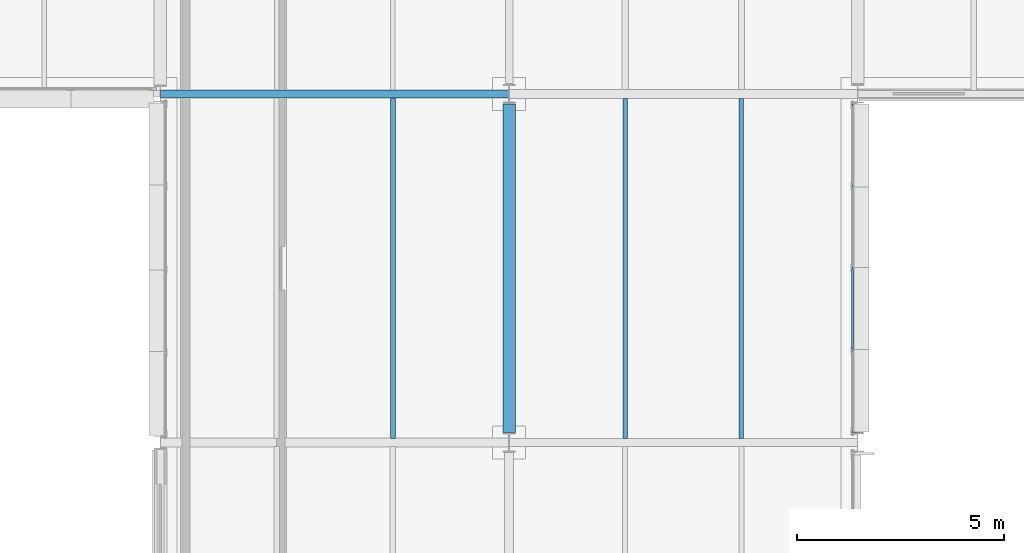
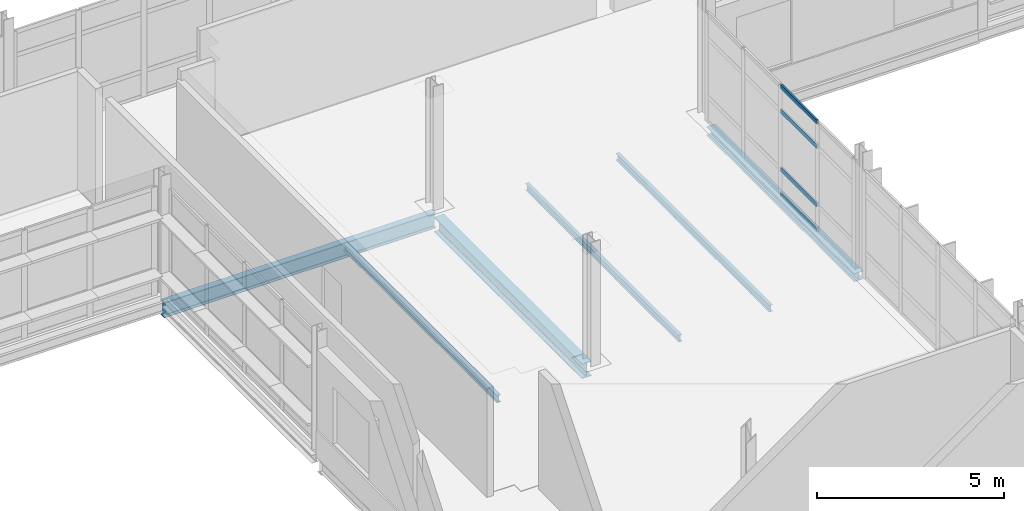
# One storey, part 52 of 103: 6 beams, 4 members, 1 element without a shape of its own.
"""IFC4 building model written with IfcOpenShell, lengths in metres."""

from ifc_helpers import new_model, si_unit, direction, frame, origin, origin_2d, place, context, subcontext, project, spatial, hollow_rectangle, i_section, extrude, material, material_profile, profile_set, type_object, element, aggregate, save


model = new_model("IFC4")

# Units and contexts
model_context = context("Model", 3, precision=1e-05, world=origin(), true_north=direction((0.0, 1.0)))
body_context = subcontext(model_context, "Body", "Model", "MODEL_VIEW")
ifc_project = project(units=[si_unit("LENGTHUNIT", "METRE"), si_unit("AREAUNIT", "SQUARE_METRE"), si_unit("VOLUMEUNIT", "CUBIC_METRE"), si_unit("PLANEANGLEUNIT", "RADIAN"), si_unit("MASSUNIT", "GRAM", prefix="KILO")], contexts=[model_context])

# Site, building, storey
site_placement = place(None, origin())
site = spatial("IfcSite", under=ifc_project, at=site_placement, CompositionType="ELEMENT")
building_placement = place(site_placement, origin())
building = spatial("IfcBuilding", under=site, at=building_placement, Name="Mersafa Astral City Hall", CompositionType="ELEMENT")
storey_placement = place(building_placement, frame((0.0, 0.0, 18.0)))
storey = spatial("IfcBuildingStorey", under=building, at=storey_placement, Name="L04", CompositionType="ELEMENT", Elevation=18.0)

# Curtain wall, members
ifc_material_1 = material(Name="Anodised bronze aluminium framing", Category="aluminium")
curtain_wall_type = type_object("IfcCurtainWallType", Name="ENV-CW-2", PredefinedType="USERDEFINED", material=ifc_material_1)
curtain_wall_placement = place(storey_placement, origin())
curtain_wall = element("IfcCurtainWall", 1, at=curtain_wall_placement, inside=storey, type_object=curtain_wall_type, Name="L04 Unitised solar curtain wall 217", ObjectType="UNITISED CURTAIN WALL", PredefinedType="USERDEFINED")
ifc_material_profile_1 = material_profile(ifc_material_1, hollow_rectangle(XDim=0.06005859375, YDim=0.139892578125, WallThickness=0.00390625, at=origin_2d()), Name="RHS 60x140x4")
ifc_profile_set_1 = profile_set([ifc_material_profile_1], Name="Anodised bronze aluminium framing")
member_type = type_object("IfcMemberType", Name="ENV-CW-TRN-1", PredefinedType="USERDEFINED", material=ifc_profile_set_1)
member_1_placement = place(storey_placement, frame((117.47998046875, 111.448486328125, 0.028076171875), z_axis=(0.0, 1.0, 0.0), x_axis=(-1.0, 0.0, 0.0)))
member_1 = element("IfcMember", 2, at=member_1_placement, type_object=member_type, Name="CW-2 transom 2.1", ObjectType="TRANSOM", PredefinedType="USERDEFINED", context=body_context, shape_type="SweptSolid", body=[
    extrude(hollow_rectangle(XDim=0.06005859375, YDim=0.139892578125, WallThickness=0.00390625, at=origin_2d()), origin(), (0.0, 0.0, 1.0), 1.921630859375),
])
member_2_placement = place(storey_placement, frame((117.47998046875, 111.448486328125, 0.85009765625), z_axis=(0.0, 1.0, 0.0), x_axis=(-1.0, 0.0, 0.0)))
member_2 = element("IfcMember", 3, at=member_2_placement, type_object=member_type, Name="CW-2 transom 2.2", ObjectType="TRANSOM", PredefinedType="USERDEFINED", context=body_context, shape_type="SweptSolid", body=[
    extrude(hollow_rectangle(XDim=0.06005859375, YDim=0.139892578125, WallThickness=0.00390625, at=origin_2d()), origin(), (0.0, 0.0, 1.0), 1.921630859375),
])
member_3_placement = place(storey_placement, frame((117.47998046875, 111.448486328125, 2.75), z_axis=(0.0, 1.0, 0.0), x_axis=(-1.0, 0.0, 0.0)))
member_3 = element("IfcMember", 4, at=member_3_placement, type_object=member_type, Name="CW-2 transom 2.3", ObjectType="TRANSOM", PredefinedType="USERDEFINED", context=body_context, shape_type="SweptSolid", body=[
    extrude(hollow_rectangle(XDim=0.06005859375, YDim=0.139892578125, WallThickness=0.00390625, at=origin_2d()), origin(), (0.0, 0.0, 1.0), 1.921630859375),
])
member_4_placement = place(storey_placement, frame((117.47998046875, 111.448486328125, 3.547119140625), z_axis=(0.0, 1.0, 0.0), x_axis=(-1.0, 0.0, 0.0)))
member_4 = element("IfcMember", 5, at=member_4_placement, type_object=member_type, Name="CW-2 transom 2.4", ObjectType="TRANSOM", PredefinedType="USERDEFINED", context=body_context, shape_type="SweptSolid", body=[
    extrude(hollow_rectangle(XDim=0.06005859375, YDim=0.139892578125, WallThickness=0.00390625, at=origin_2d()), origin(), (0.0, 0.0, 1.0), 1.921630859375),
])
aggregate(curtain_wall, [member_1, member_2, member_3, member_4])

# Beams
ifc_material_2 = material(Name="Steel S355", Category="steel")
ifc_material_profile_2 = material_profile(ifc_material_2, i_section(OverallWidth=0.300048828125, OverallDepth=0.489990234375, WebThickness=0.011962890625, FlangeThickness=0.02294921875, FilletRadius=0.027099609375, at=origin_2d()), Name="HEA 500")
ifc_profile_set_2 = profile_set([ifc_material_profile_2], Name="Steel S355")
beam_type_1 = type_object("IfcBeamType", Name="STR-BM-HEA500", PredefinedType="BEAM", material=ifc_profile_set_2)
beam_1_placement = place(storey_placement, frame((109.199951171875, 109.445068359375, -0.429931640625), z_axis=(0.0, 1.0, 0.0), x_axis=(-1.0, 0.0, 0.0)))
element("IfcBeam", 6, at=beam_1_placement, inside=storey, type_object=beam_type_1, Name="L04 Primary girder Y 13-13", PredefinedType="BEAM", context=body_context, shape_type="SweptSolid", body=[
    extrude(i_section(OverallWidth=0.300048828125, OverallDepth=0.489990234375, WebThickness=0.011962890625, FlangeThickness=0.02294921875, FilletRadius=0.027099609375, at=origin_2d()), origin(), (0.0, 0.0, 1.0), 7.909912109375),
])
ifc_material_profile_3 = material_profile(ifc_material_2, i_section(OverallWidth=0.199951171875, OverallDepth=0.5, WebThickness=0.01025390625, FlangeThickness=0.01611328125, FilletRadius=0.02099609375, at=origin_2d()), Name="IPE 500")
ifc_profile_set_3 = profile_set([ifc_material_profile_3], Name="Steel S355")
beam_type_2 = type_object("IfcBeamType", Name="STR-BM-IPE500", PredefinedType="BEAM", material=ifc_profile_set_3)
beam_2_placement = place(storey_placement, frame((100.802978515625, 117.60009765625, -0.43505859375), z_axis=(1.0, 0.0, 0.0), x_axis=(0.0, 1.0, 0.0)))
element("IfcBeam", 7, at=beam_2_placement, inside=storey, type_object=beam_type_2, Name="L04 Primary girder X 12-14", PredefinedType="BEAM", context=body_context, shape_type="SweptSolid", body=[
    extrude(i_section(OverallWidth=0.199951171875, OverallDepth=0.5, WebThickness=0.01025390625, FlangeThickness=0.01611328125, FilletRadius=0.02099609375, at=origin_2d()), origin(), (0.0, 0.0, 1.0), 8.39404296875),
])
ifc_material_profile_4 = material_profile(ifc_material_2, i_section(OverallWidth=0.110107421875, OverallDepth=0.219970703125, WebThickness=0.005859375, FlangeThickness=0.00927734375, FilletRadius=0.011962890625, at=origin_2d()), Name="IPE 220")
ifc_profile_set_4 = profile_set([ifc_material_profile_4], Name="Steel S355")
beam_type_3 = type_object("IfcBeamType", Name="STR-BM-JOIST-IPE220", PredefinedType="JOIST", material=ifc_profile_set_4)
for number, where, z_axis, x_axis, name in (
    (8, (112.0, 109.294921875, -0.294921875), (0.0, 1.0, 0.0), (-1.0, 0.0, 0.0), "L04 Composite secondary floor joist 742"),
    (9, (114.800048828125, 109.294921875, -0.294921875), (0.0, 1.0, 0.0), (-1.0, 0.0, 0.0), "L04 Composite secondary floor joist 743"),
):
    element("IfcBeam", number, at=place(storey_placement, frame(where, z_axis=z_axis, x_axis=x_axis)), inside=storey, type_object=beam_type_3, Name=name, PredefinedType="JOIST", context=body_context, shape_type="SweptSolid", body=[
        extrude(i_section(OverallWidth=0.110107421875, OverallDepth=0.219970703125, WebThickness=0.005859375, FlangeThickness=0.00927734375, FilletRadius=0.011962890625, at=origin_2d()), origin(), (0.0, 0.0, 1.0), 8.2001953125),
    ])
ifc_material_profile_5 = material_profile(ifc_material_2, i_section(OverallWidth=0.1201171875, OverallDepth=0.239990234375, WebThickness=0.006103515625, FlangeThickness=0.009765625, FilletRadius=0.014892578125, at=origin_2d()), Name="IPE 240")
ifc_profile_set_5 = profile_set([ifc_material_profile_5], Name="Steel S355")
beam_type_4 = type_object("IfcBeamType", Name="STR-BM-JOIST-IPE240", PredefinedType="JOIST", material=ifc_profile_set_5)
beam_3_placement = place(storey_placement, frame((106.39990234375, 109.300048828125, -0.304931640625), z_axis=(0.0, 1.0, 0.0), x_axis=(-1.0, 0.0, 0.0)))
element("IfcBeam", 10, at=beam_3_placement, inside=storey, type_object=beam_type_4, Name="L04 Composite secondary floor joist 729", PredefinedType="JOIST", context=body_context, shape_type="SweptSolid", body=[
    extrude(i_section(OverallWidth=0.1201171875, OverallDepth=0.239990234375, WebThickness=0.006103515625, FlangeThickness=0.009765625, FilletRadius=0.014892578125, at=origin_2d()), origin(), (0.0, 0.0, 1.0), 8.204833984375),
])
ifc_material_profile_6 = material_profile(ifc_material_2, i_section(OverallWidth=0.280029296875, OverallDepth=0.27001953125, WebThickness=0.008056640625, FlangeThickness=0.012939453125, FilletRadius=0.02392578125, at=origin_2d()), Name="HEA 280")
ifc_profile_set_6 = profile_set([ifc_material_profile_6], Name="Steel S355")
beam_type_5 = type_object("IfcBeamType", Name="STR-BM-SPANDREL-HEA280", PredefinedType="SPANDREL", material=ifc_profile_set_6)
beam_4_placement = place(storey_placement, frame((117.60009765625, 109.445068359375, -0.320068359375), z_axis=(0.0, 1.0, 0.0), x_axis=(-1.0, 0.0, 0.0)))
element("IfcBeam", 11, at=beam_4_placement, inside=storey, type_object=beam_type_5, Name="L04 Primary girder Y 14-13", PredefinedType="SPANDREL", context=body_context, shape_type="SweptSolid", body=[
    extrude(i_section(OverallWidth=0.280029296875, OverallDepth=0.27001953125, WebThickness=0.008056640625, FlangeThickness=0.012939453125, FilletRadius=0.02392578125, at=origin_2d()), origin(), (0.0, 0.0, 1.0), 7.909912109375),
])

save(model, "model.ifc")
